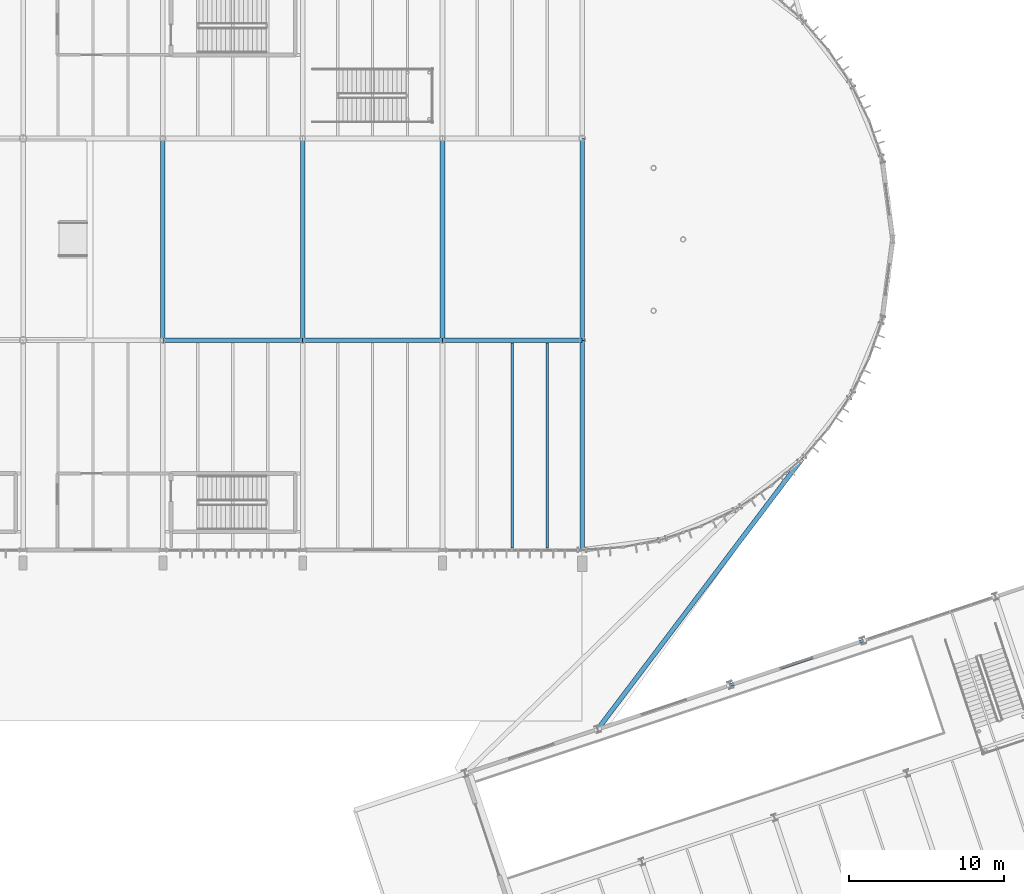
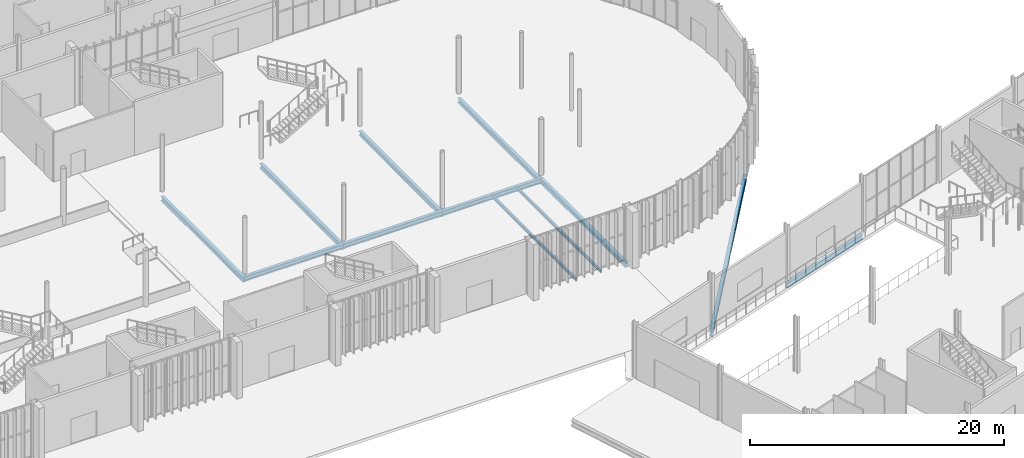
# One storey, part 48 of 158: 12 beams.
"""IFC4 building model written with IfcOpenShell, lengths in metres."""

from ifc_helpers import new_model, si_unit, derived_unit, direction, frame, origin, origin_2d, place, context, subcontext, project, spatial, i_section, extrude, material, material_profile, profile_set, type_object, element, save


model = new_model("IFC4")

# Units and contexts
model_context = context("Model", 3, precision=1e-05, world=origin(), true_north=direction((0.0, 1.0)))
body_context = subcontext(model_context, "Body", "Model", "MODEL_VIEW")
ifc_project = project(units=[si_unit("LENGTHUNIT", "METRE"), si_unit("AREAUNIT", "SQUARE_METRE"), si_unit("VOLUMEUNIT", "CUBIC_METRE"), si_unit("PLANEANGLEUNIT", "RADIAN"), si_unit("MASSUNIT", "GRAM", prefix="KILO"), si_unit("THERMODYNAMICTEMPERATUREUNIT", "KELVIN"), si_unit("TIMEUNIT", "SECOND"), derived_unit("THERMALTRANSMITTANCEUNIT", [(si_unit("MASSUNIT", "GRAM", prefix="KILO"), 1), (si_unit("THERMODYNAMICTEMPERATUREUNIT", "KELVIN"), -1), (si_unit("TIMEUNIT", "SECOND"), -3)])], contexts=[model_context])

# Site, building, storey
site_placement = place(None, origin())
site = spatial("IfcSite", under=ifc_project, at=site_placement, CompositionType="ELEMENT")
building_placement = place(site_placement, origin())
building = spatial("IfcBuilding", under=site, at=building_placement, Name="Cambertide Market Hall", CompositionType="ELEMENT")
storey_placement = place(building_placement, origin())
storey = spatial("IfcBuildingStorey", under=building, at=storey_placement, Name="L01", CompositionType="ELEMENT", Elevation=0.0)

# Beams
ifc_material_1 = material(Name="Steel S355", Category="steel")
ifc_material_profile_1 = material_profile(ifc_material_1, i_section(OverallWidth=0.300048828125, OverallDepth=0.5, WebThickness=0.014404296875, FlangeThickness=0.028076171875, FilletRadius=0.027099609375, at=origin_2d()), Name="HEB 500")
ifc_profile_set_1 = profile_set([ifc_material_profile_1], Name="Steel S355")
beam_type_1 = type_object("IfcBeamType", Name="Exterior Steel Girder HEB 500", PredefinedType="BEAM", material=ifc_profile_set_1)
beam_1_placement = place(storey_placement, frame((119.14208984375, 57.85791015625, -0.544921875), z_axis=(-0.602755468466, -0.797925964757, 0.0), x_axis=(0.797925964757, -0.602755468466, 0.0)))
element("IfcBeam", 1, at=beam_1_placement, inside=storey, type_object=beam_type_1, Name="Level 1 Beam TIE-V1V3-2", PredefinedType="BEAM", context=body_context, shape_type="SweptSolid", body=[
    extrude(i_section(OverallWidth=0.300048828125, OverallDepth=0.5, WebThickness=0.014404296875, FlangeThickness=0.028076171875, FilletRadius=0.027099609375, at=origin_2d()), origin(), (0.0, 0.0, 1.0), 21.803466796875),
])
ifc_material_2 = material(Name="Steel S355", Category="steel")
ifc_material_profile_2 = material_profile(ifc_material_2, i_section(OverallWidth=0.300048828125, OverallDepth=0.449951171875, WebThickness=0.013916015625, FlangeThickness=0.02587890625, FilletRadius=0.027099609375, at=origin_2d()), Name="HEB 450")
ifc_profile_set_2 = profile_set([ifc_material_profile_2], Name="Steel S355")
beam_type_2 = type_object("IfcBeamType", Name="Steel Girder HEB 450", PredefinedType="BEAM", material=ifc_profile_set_2)
for number, where, z_axis, x_axis, name in (
    (2, (78.0, 65.5, -0.534912109375), (1.0, 0.0, 0.0), (0.0, 1.0, 0.0), "Level 1 Beam BM-V1MS-L01-5"),
    (3, (87.0, 65.5, -0.534912109375), (1.0, 0.0, 0.0), (0.0, 1.0, 0.0), "Level 1 Beam BM-V1MS-L01-6"),
    (4, (96.0, 65.5, -0.534912109375), (1.0, 0.0, 0.0), (0.0, 1.0, 0.0), "Level 1 Beam BM-V1MS-L01-7"),
):
    element("IfcBeam", number, at=place(storey_placement, frame(where, z_axis=z_axis, x_axis=x_axis)), inside=storey, type_object=beam_type_2, Name=name, PredefinedType="BEAM", context=body_context, shape_type="SweptSolid", body=[
        extrude(i_section(OverallWidth=0.300048828125, OverallDepth=0.449951171875, WebThickness=0.013916015625, FlangeThickness=0.02587890625, FilletRadius=0.027099609375, at=origin_2d()), origin(), (0.0, 0.0, 1.0), 9.0),
    ])
for number, where, z_axis, x_axis, name in (
    (5, (78.0, 65.5, -0.695068359375), (0.0, 1.0, 0.0), (-1.0, 0.0, 0.0), "Level 1 Beam BM-V1TC-L01-5"),
    (6, (87.0, 65.5, -0.695068359375), (0.0, 1.0, 0.0), (-1.0, 0.0, 0.0), "Level 1 Beam BM-V1TC-L01-6"),
    (7, (96.0, 65.5, -0.695068359375), (0.0, 1.0, 0.0), (-1.0, 0.0, 0.0), "Level 1 Beam BM-V1TC-L01-7"),
):
    element("IfcBeam", number, at=place(storey_placement, frame(where, z_axis=z_axis, x_axis=x_axis)), inside=storey, type_object=beam_type_2, Name=name, PredefinedType="BEAM", context=body_context, shape_type="SweptSolid", body=[
        extrude(i_section(OverallWidth=0.300048828125, OverallDepth=0.449951171875, WebThickness=0.013916015625, FlangeThickness=0.02587890625, FilletRadius=0.027099609375, at=origin_2d()), origin(), (0.0, 0.0, 1.0), 13.0),
    ])
beam_2_placement = place(storey_placement, frame((105.0, 52.0, -0.534912109375), z_axis=(0.0, 1.0, 0.0), x_axis=(-1.0, 0.0, 0.0)))
element("IfcBeam", 8, at=beam_2_placement, inside=storey, type_object=beam_type_2, Name="Level 1 Beam BM-V1TS-L01-8", PredefinedType="BEAM", context=body_context, shape_type="SweptSolid", body=[
    extrude(i_section(OverallWidth=0.300048828125, OverallDepth=0.449951171875, WebThickness=0.013916015625, FlangeThickness=0.02587890625, FilletRadius=0.027099609375, at=origin_2d()), origin(), (0.0, 0.0, 1.0), 13.5),
])
beam_3_placement = place(storey_placement, frame((105.0, 65.5, -0.695068359375), z_axis=(0.0, 1.0, 0.0), x_axis=(-1.0, 0.0, 0.0)))
element("IfcBeam", 9, at=beam_3_placement, inside=storey, type_object=beam_type_2, Name="Level 1 Beam BM-V1TC-L01-8", PredefinedType="BEAM", context=body_context, shape_type="SweptSolid", body=[
    extrude(i_section(OverallWidth=0.300048828125, OverallDepth=0.449951171875, WebThickness=0.013916015625, FlangeThickness=0.02587890625, FilletRadius=0.027099609375, at=origin_2d()), origin(), (0.0, 0.0, 1.0), 13.0),
])
ifc_material_3 = material(Name="Steel S355", Category="steel")
ifc_material_profile_3 = material_profile(ifc_material_3, i_section(OverallWidth=0.199951171875, OverallDepth=0.5, WebThickness=0.01025390625, FlangeThickness=0.01611328125, FilletRadius=0.02099609375, at=origin_2d()), Name="IPE 500")
ifc_profile_set_3 = profile_set([ifc_material_profile_3], Name="Steel S355")
beam_type_3 = type_object("IfcBeamType", Name="Steel Girder IPE 500", PredefinedType="BEAM", material=ifc_profile_set_3)
beam_4_placement = place(storey_placement, frame((114.5380859375, 43.306640625, -0.550048828125), z_axis=(0.948688723175, 0.316211490179, 0.0), x_axis=(-0.316211490179, 0.948688723175, 0.0)))
element("IfcBeam", 10, at=beam_4_placement, inside=storey, type_object=beam_type_3, Name="Level 1 Beam BM-V3U-L01-3-4", PredefinedType="BEAM", context=body_context, shape_type="SweptSolid", body=[
    extrude(i_section(OverallWidth=0.199951171875, OverallDepth=0.5, WebThickness=0.01025390625, FlangeThickness=0.01611328125, FilletRadius=0.02099609375, at=origin_2d()), origin(), (0.0, 0.0, 1.0), 9.000244140625),
])
ifc_material_4 = material(Name="Steel S275", Category="steel")
ifc_material_profile_4 = material_profile(ifc_material_4, i_section(OverallWidth=0.14990234375, OverallDepth=0.300048828125, WebThickness=0.007080078125, FlangeThickness=0.0107421875, FilletRadius=0.014892578125, at=origin_2d()), Name="IPE 300")
ifc_profile_set_4 = profile_set([ifc_material_profile_4], Name="Steel S275")
beam_type_4 = type_object("IfcBeamType", Name="Steel Secondary Joist IPE 300", PredefinedType="JOIST", material=ifc_profile_set_4)
for number, where, z_axis, x_axis, name in (
    (11, (100.5, 52.117919921875, -0.4599609375), (0.0, 1.0, 0.0), (-1.0, 0.0, 0.0), "Level 1 Joist JS-V1S-L01-7-2"),
    (12, (102.75, 52.117919921875, -0.4599609375), (0.0, 1.0, 0.0), (-1.0, 0.0, 0.0), "Level 1 Joist JS-V1S-L01-7-3"),
):
    element("IfcBeam", number, at=place(storey_placement, frame(where, z_axis=z_axis, x_axis=x_axis)), inside=storey, type_object=beam_type_4, Name=name, PredefinedType="JOIST", context=body_context, shape_type="SweptSolid", body=[
        extrude(i_section(OverallWidth=0.14990234375, OverallDepth=0.300048828125, WebThickness=0.007080078125, FlangeThickness=0.0107421875, FilletRadius=0.014892578125, at=origin_2d()), origin(), (0.0, 0.0, 1.0), 13.22412109375),
    ])

save(model, "model.ifc")
